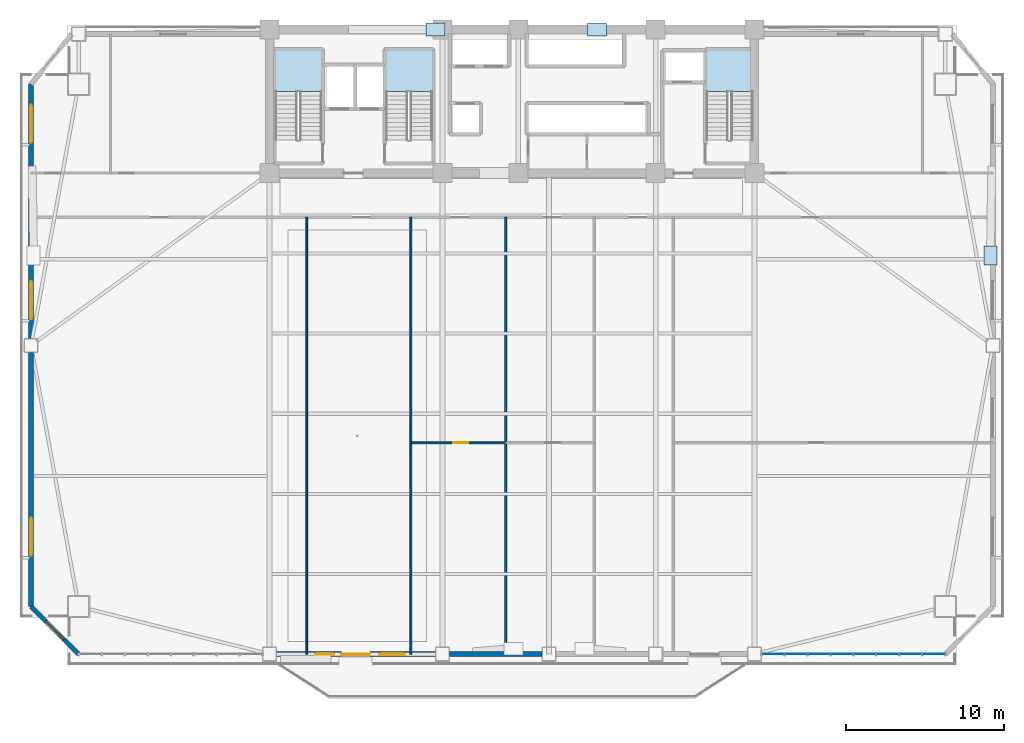
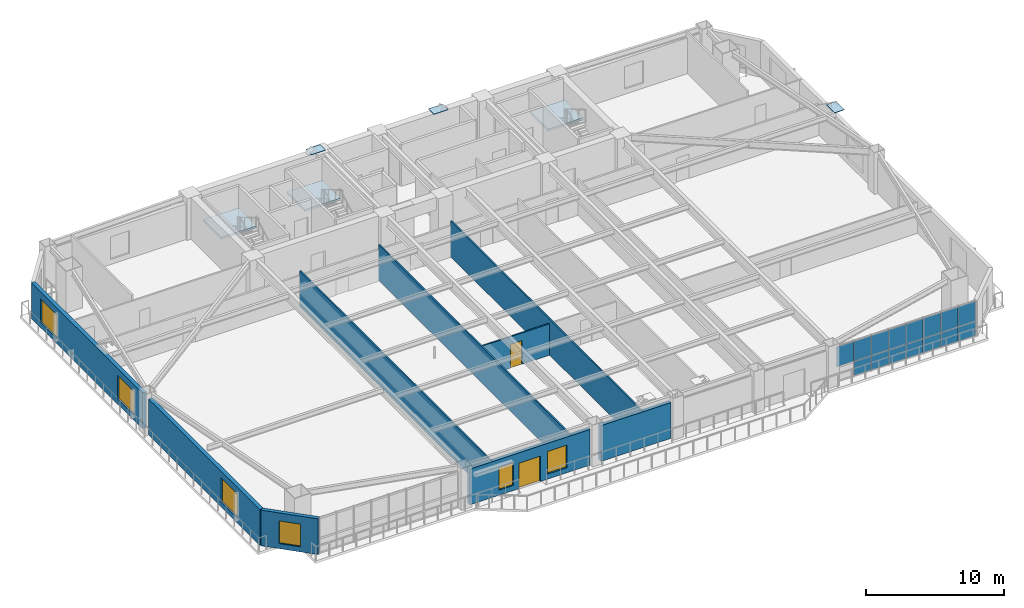
# One storey, part 7 of 15: 18 plates, 9 walls, 6 windows, 3 slabs, 2 doors, 8 openings, 4 elements without a shape of their own.
"""IFC4 building model written with IfcOpenShell, lengths in metres."""

from ifc_helpers import new_model, si_unit, direction, frame, frame_2d, origin, origin_2d, place, context, subcontext, project, spatial, polyline, rectangle, outline, extrude, source, transform, mapped, material, layer, layer_set, type_object, element, fill, aggregate, save


model = new_model("IFC4")

# Units and contexts
model_context = context("Model", 3, precision=1e-05, world=origin(), true_north=direction((0.0, 1.0)))
body_context = subcontext(model_context, "Body", "Model", "MODEL_VIEW")
ifc_project = project(units=[si_unit("LENGTHUNIT", "METRE"), si_unit("AREAUNIT", "SQUARE_METRE"), si_unit("VOLUMEUNIT", "CUBIC_METRE"), si_unit("PLANEANGLEUNIT", "RADIAN"), si_unit("MASSUNIT", "GRAM", prefix="KILO")], contexts=[model_context])

# Site, building, storey
site_placement = place(None, origin())
site = spatial("IfcSite", under=ifc_project, at=site_placement, CompositionType="ELEMENT")
building_placement = place(site_placement, origin())
building = spatial("IfcBuilding", under=site, at=building_placement, Name="Giltprow Tower", CompositionType="ELEMENT")
storey_placement = place(building_placement, frame((0.0, 0.0, 115.300048828125)))
storey = spatial("IfcBuildingStorey", under=building, at=storey_placement, Name="L28", CompositionType="ELEMENT", Elevation=115.300048828125)

# Stair, slab
ifc_material_1 = material(Name="Concrete C40", Category="concrete")
stair_type_1 = type_object("IfcStairType", Name="STR-ST-1", PredefinedType="HALF_TURN_STAIR", material=ifc_material_1)
stair_1_placement = place(storey_placement, origin())
stair_1 = element("IfcStair", 1, at=stair_1_placement, inside=storey, type_object=stair_type_1, Name="L28 Core Exit Stair ST-1", PredefinedType="HALF_TURN_STAIR")
ifc_layer_1 = layer(ifc_material_1, 0.179931640625, Name="Concrete C40")
ifc_layer_set_1 = layer_set([ifc_layer_1], Name="Concrete C40")
slab_type_1 = type_object("IfcSlabType", Name="SLD-ST-1", PredefinedType="LANDING", material=ifc_layer_set_1)
slab_1_placement = place(storey_placement, frame((0.0, 0.0, 1.77001953125)))
slab_1 = element("IfcSlab", 2, at=slab_1_placement, type_object=slab_type_1, Name="ST-1 landing 1", PredefinedType="LANDING", context=body_context, shape_type="SweptSolid", body=[
    extrude(outline(polyline([(23.159912109375, 42.6298828125), (23.159912109375, 45.25), (20.199951171875, 45.25), (20.199951171875, 42.6298828125), (23.159912109375, 42.6298828125)])), origin(), (0.0, 0.0, 1.0), 0.179931640625),
])
aggregate(stair_1, [slab_1])

stair_type_2 = type_object("IfcStairType", Name="STR-ST-2", PredefinedType="HALF_TURN_STAIR", material=ifc_material_1)
stair_2_placement = place(storey_placement, origin())
stair_2 = element("IfcStair", 3, at=stair_2_placement, inside=storey, type_object=stair_type_2, Name="L28 Core Exit Stair ST-2", PredefinedType="HALF_TURN_STAIR")
ifc_layer_2 = layer(ifc_material_1, 0.18798828125, Name="Concrete C40")
ifc_layer_set_2 = layer_set([ifc_layer_2], Name="Concrete C40")
slab_type_2 = type_object("IfcSlabType", Name="SLD-ST-2", PredefinedType="LANDING", material=ifc_layer_set_2)
slab_2_placement = place(storey_placement, frame((0.0, 0.0, 1.761962890625)))
slab_2 = element("IfcSlab", 4, at=slab_2_placement, type_object=slab_type_2, Name="ST-2 landing 1", PredefinedType="LANDING", context=body_context, shape_type="SweptSolid", body=[
    extrude(outline(polyline([(30.159912109375, 42.6298828125), (30.159912109375, 45.25), (27.199951171875, 45.25), (27.199951171875, 42.6298828125), (30.159912109375, 42.6298828125)])), origin(), (0.0, 0.0, 1.0), 0.18798828125),
])
aggregate(stair_2, [slab_2])

stair_type_3 = type_object("IfcStairType", Name="STR-ST-3", PredefinedType="HALF_TURN_STAIR", material=ifc_material_1)
stair_3_placement = place(storey_placement, origin())
stair_3 = element("IfcStair", 5, at=stair_3_placement, inside=storey, type_object=stair_type_3, Name="L28 Core Exit Stair ST-3", PredefinedType="HALF_TURN_STAIR")
ifc_layer_3 = layer(ifc_material_1, 0.196044921875, Name="Concrete C40")
ifc_layer_set_3 = layer_set([ifc_layer_3], Name="Concrete C40")
slab_type_3 = type_object("IfcSlabType", Name="SLD-ST-3", PredefinedType="LANDING", material=ifc_layer_set_3)
slab_3_placement = place(storey_placement, frame((0.0, 0.0, 1.75390625)))
slab_3 = element("IfcSlab", 6, at=slab_3_placement, type_object=slab_type_3, Name="ST-3 landing 1", PredefinedType="LANDING", context=body_context, shape_type="SweptSolid", body=[
    extrude(outline(polyline([(50.4599609375, 42.6298828125), (50.4599609375, 45.25), (47.5, 45.25), (47.5, 42.6298828125), (50.4599609375, 42.6298828125)])), origin(), (0.0, 0.0, 1.0), 0.196044921875),
])
aggregate(stair_3, [slab_3])

# Plates
ifc_material_2 = material(Name="Structural steel Q420GJC", Category="steel")
plate_type_1 = type_object("IfcPlateType", Name="PLT-CAP-SEAL", PredefinedType="USERDEFINED", material=ifc_material_2)
shared_shape_1 = source(origin(), body_context, "Body", "SweptSolid", [
    extrude(rectangle(XDim=1.199951171875, YDim=0.800048828125, at=origin_2d()), origin(), (0.0, 0.0, 1.0), 0.034912109375),
])
for number, where, z_axis, x_axis, name in (
    (7, (30.35009765625, 46.550048828125, 3.74267578125), (0.0, 0.0, 1.0), (1.0, 0.0, 0.0), "Mega-Brace Node L28-N-LB"),
    (8, (40.5830078125, 46.550048828125, 3.74267578125), (0.0, 0.0, 1.0), (1.0, 0.0, 0.0), "Mega-Brace Node L28-N-RB"),
    (9, (65.4990234375, 32.23388671875, 3.88232421875), (0.0, 0.0, 1.0), (0.0, 1.0, 0.0), "Mega-Brace Node L28-E-RB"),
):
    element("IfcPlate", number, at=place(storey_placement, frame(where, z_axis=z_axis, x_axis=x_axis)), inside=storey, type_object=plate_type_1, Name=name, ObjectType="SPLICE", PredefinedType="USERDEFINED", context=body_context, shape_type="MappedRepresentation", body=[
        mapped(shared_shape_1, transform((0.0, 0.0, 0.0), x_axis=(1.0, 0.0, 0.0), y_axis=(0.0, 1.0, 0.0), z_axis=(0.0, 0.0, 1.0), scale=1.0)),
    ])

# Curtain wall, plates
ifc_material_3 = material(Name="Anodized bronze", Category="metal")
ifc_layer_4 = layer(ifc_material_3, 0.179931640625, Name="Anodized bronze")
ifc_layer_set_4 = layer_set([ifc_layer_4], Name="Anodized bronze")
curtain_wall_type = type_object("IfcCurtainWallType", Name="CW-OFF-RECESSED", PredefinedType="NOTDEFINED", material=ifc_layer_set_4)
curtain_wall_placement = place(storey_placement, origin())
curtain_wall = element("IfcCurtainWall", 10, at=curtain_wall_placement, inside=storey, type_object=curtain_wall_type, Name="L28 South Recessed Curtain Wall 6", PredefinedType="NOTDEFINED")
ifc_material_4 = material(Name="Insulated glass", Category="glass")
plate_type_2 = type_object("IfcPlateType", Name="CW-PANEL-IGU-28", PredefinedType="CURTAIN_PANEL", material=ifc_material_4)
shared_shape_2 = source(origin(), body_context, "Body", "SweptSolid", [
    extrude(rectangle(XDim=1.425048828125, YDim=0.028076171875, at=origin_2d()), origin(), (0.0, 0.0, 1.0), 1.259033203125),
])
plate_1_placement = place(storey_placement, frame((53.181884765625, 6.989990234375, 0.05322265625), z_axis=(0.0, 0.0, 1.0), x_axis=(1.0, 0.0, 0.0)))
plate_1 = element("IfcPlate", 11, at=plate_1_placement, type_object=plate_type_2, Name="L28 South Recessed Curtain Wall 6 Glazing Panel 2-1", PredefinedType="CURTAIN_PANEL", context=body_context, shape_type="MappedRepresentation", body=[
    mapped(shared_shape_2, transform((0.0, 0.0, 0.0), x_axis=(1.0, 0.0, 0.0), y_axis=(0.0, 1.0, 0.0), z_axis=(0.0, 0.0, 1.0), scale=1.0)),
])
plate_2_placement = place(storey_placement, frame((54.636962890625, 6.989990234375, 0.05322265625), z_axis=(0.0, 0.0, 1.0), x_axis=(1.0, 0.0, 0.0)))
plate_2 = element("IfcPlate", 12, at=plate_2_placement, type_object=plate_type_2, Name="L28 South Recessed Curtain Wall 6 Glazing Panel 3-1", PredefinedType="CURTAIN_PANEL", context=body_context, shape_type="MappedRepresentation", body=[
    mapped(shared_shape_2, transform((0.0, 0.0, 0.0), x_axis=(1.0, 0.0, 0.0), y_axis=(0.0, 1.0, 0.0), z_axis=(0.0, 0.0, 1.0), scale=1.0)),
])
plate_3_placement = place(storey_placement, frame((56.092041015625, 6.989990234375, 0.05322265625), z_axis=(0.0, 0.0, 1.0), x_axis=(1.0, 0.0, 0.0)))
plate_3 = element("IfcPlate", 13, at=plate_3_placement, type_object=plate_type_2, Name="L28 South Recessed Curtain Wall 6 Glazing Panel 4-1", PredefinedType="CURTAIN_PANEL", context=body_context, shape_type="MappedRepresentation", body=[
    mapped(shared_shape_2, transform((0.0, 0.0, 0.0), x_axis=(1.0, 0.0, 0.0), y_axis=(0.0, 1.0, 0.0), z_axis=(0.0, 0.0, 1.0), scale=1.0)),
])
plate_4_placement = place(storey_placement, frame((57.547119140625, 6.989990234375, 0.05322265625), z_axis=(0.0, 0.0, 1.0), x_axis=(1.0, 0.0, 0.0)))
plate_4 = element("IfcPlate", 14, at=plate_4_placement, type_object=plate_type_2, Name="L28 South Recessed Curtain Wall 6 Glazing Panel 5-1", PredefinedType="CURTAIN_PANEL", context=body_context, shape_type="MappedRepresentation", body=[
    mapped(shared_shape_2, transform((0.0, 0.0, 0.0), x_axis=(1.0, 0.0, 0.0), y_axis=(0.0, 1.0, 0.0), z_axis=(0.0, 0.0, 1.0), scale=1.0)),
])
plate_5_placement = place(storey_placement, frame((59.001953125, 6.989990234375, 0.05322265625), z_axis=(0.0, 0.0, 1.0), x_axis=(1.0, 0.0, 0.0)))
plate_5 = element("IfcPlate", 15, at=plate_5_placement, type_object=plate_type_2, Name="L28 South Recessed Curtain Wall 6 Glazing Panel 6-1", PredefinedType="CURTAIN_PANEL", context=body_context, shape_type="MappedRepresentation", body=[
    mapped(shared_shape_2, transform((0.0, 0.0, 0.0), x_axis=(1.0, 0.0, 0.0), y_axis=(0.0, 1.0, 0.0), z_axis=(0.0, 0.0, 1.0), scale=1.0)),
])
plate_6_placement = place(storey_placement, frame((60.45703125, 6.989990234375, 0.05322265625), z_axis=(0.0, 0.0, 1.0), x_axis=(1.0, 0.0, 0.0)))
plate_6 = element("IfcPlate", 16, at=plate_6_placement, type_object=plate_type_2, Name="L28 South Recessed Curtain Wall 6 Glazing Panel 7-1", PredefinedType="CURTAIN_PANEL", context=body_context, shape_type="MappedRepresentation", body=[
    mapped(shared_shape_2, transform((0.0, 0.0, 0.0), x_axis=(1.0, 0.0, 0.0), y_axis=(0.0, 1.0, 0.0), z_axis=(0.0, 0.0, 1.0), scale=1.0)),
])
plate_7_placement = place(storey_placement, frame((61.912109375, 6.989990234375, 0.05322265625), z_axis=(0.0, 0.0, 1.0), x_axis=(1.0, 0.0, 0.0)))
plate_7 = element("IfcPlate", 17, at=plate_7_placement, type_object=plate_type_2, Name="L28 South Recessed Curtain Wall 6 Glazing Panel 8-1", PredefinedType="CURTAIN_PANEL", context=body_context, shape_type="MappedRepresentation", body=[
    mapped(shared_shape_2, transform((0.0, 0.0, 0.0), x_axis=(1.0, 0.0, 0.0), y_axis=(0.0, 1.0, 0.0), z_axis=(0.0, 0.0, 1.0), scale=1.0)),
])
shared_shape_3 = source(origin(), body_context, "Body", "SweptSolid", [
    extrude(rectangle(XDim=1.425048828125, YDim=0.028076171875, at=origin_2d()), origin(), (0.0, 0.0, 1.0), 1.764892578125),
])
plate_8_placement = place(storey_placement, frame((51.72705078125, 6.989990234375, 1.34033203125), z_axis=(0.0, 0.0, 1.0), x_axis=(1.0, 0.0, 0.0)))
plate_8 = element("IfcPlate", 18, at=plate_8_placement, type_object=plate_type_2, Name="L28 South Recessed Curtain Wall 6 Glazing Panel 1-2", PredefinedType="CURTAIN_PANEL", context=body_context, shape_type="MappedRepresentation", body=[
    mapped(shared_shape_3, transform((0.0, 0.0, 0.0), x_axis=(1.0, 0.0, 0.0), y_axis=(0.0, 1.0, 0.0), z_axis=(0.0, 0.0, 1.0), scale=1.0)),
])
plate_9_placement = place(storey_placement, frame((53.181884765625, 6.989990234375, 1.34033203125), z_axis=(0.0, 0.0, 1.0), x_axis=(1.0, 0.0, 0.0)))
plate_9 = element("IfcPlate", 19, at=plate_9_placement, type_object=plate_type_2, Name="L28 South Recessed Curtain Wall 6 Glazing Panel 2-2", PredefinedType="CURTAIN_PANEL", context=body_context, shape_type="MappedRepresentation", body=[
    mapped(shared_shape_3, transform((0.0, 0.0, 0.0), x_axis=(1.0, 0.0, 0.0), y_axis=(0.0, 1.0, 0.0), z_axis=(0.0, 0.0, 1.0), scale=1.0)),
])
plate_10_placement = place(storey_placement, frame((54.636962890625, 6.989990234375, 1.34033203125), z_axis=(0.0, 0.0, 1.0), x_axis=(1.0, 0.0, 0.0)))
plate_10 = element("IfcPlate", 20, at=plate_10_placement, type_object=plate_type_2, Name="L28 South Recessed Curtain Wall 6 Glazing Panel 3-2", PredefinedType="CURTAIN_PANEL", context=body_context, shape_type="MappedRepresentation", body=[
    mapped(shared_shape_3, transform((0.0, 0.0, 0.0), x_axis=(1.0, 0.0, 0.0), y_axis=(0.0, 1.0, 0.0), z_axis=(0.0, 0.0, 1.0), scale=1.0)),
])
plate_11_placement = place(storey_placement, frame((56.092041015625, 6.989990234375, 1.34033203125), z_axis=(0.0, 0.0, 1.0), x_axis=(1.0, 0.0, 0.0)))
plate_11 = element("IfcPlate", 21, at=plate_11_placement, type_object=plate_type_2, Name="L28 South Recessed Curtain Wall 6 Glazing Panel 4-2", PredefinedType="CURTAIN_PANEL", context=body_context, shape_type="MappedRepresentation", body=[
    mapped(shared_shape_3, transform((0.0, 0.0, 0.0), x_axis=(1.0, 0.0, 0.0), y_axis=(0.0, 1.0, 0.0), z_axis=(0.0, 0.0, 1.0), scale=1.0)),
])
plate_12_placement = place(storey_placement, frame((57.547119140625, 6.989990234375, 1.34033203125), z_axis=(0.0, 0.0, 1.0), x_axis=(1.0, 0.0, 0.0)))
plate_12 = element("IfcPlate", 22, at=plate_12_placement, type_object=plate_type_2, Name="L28 South Recessed Curtain Wall 6 Glazing Panel 5-2", PredefinedType="CURTAIN_PANEL", context=body_context, shape_type="MappedRepresentation", body=[
    mapped(shared_shape_3, transform((0.0, 0.0, 0.0), x_axis=(1.0, 0.0, 0.0), y_axis=(0.0, 1.0, 0.0), z_axis=(0.0, 0.0, 1.0), scale=1.0)),
])
plate_13_placement = place(storey_placement, frame((59.001953125, 6.989990234375, 1.34033203125), z_axis=(0.0, 0.0, 1.0), x_axis=(1.0, 0.0, 0.0)))
plate_13 = element("IfcPlate", 23, at=plate_13_placement, type_object=plate_type_2, Name="L28 South Recessed Curtain Wall 6 Glazing Panel 6-2", PredefinedType="CURTAIN_PANEL", context=body_context, shape_type="MappedRepresentation", body=[
    mapped(shared_shape_3, transform((0.0, 0.0, 0.0), x_axis=(1.0, 0.0, 0.0), y_axis=(0.0, 1.0, 0.0), z_axis=(0.0, 0.0, 1.0), scale=1.0)),
])
plate_14_placement = place(storey_placement, frame((60.45703125, 6.989990234375, 1.34033203125), z_axis=(0.0, 0.0, 1.0), x_axis=(1.0, 0.0, 0.0)))
plate_14 = element("IfcPlate", 24, at=plate_14_placement, type_object=plate_type_2, Name="L28 South Recessed Curtain Wall 6 Glazing Panel 7-2", PredefinedType="CURTAIN_PANEL", context=body_context, shape_type="MappedRepresentation", body=[
    mapped(shared_shape_3, transform((0.0, 0.0, 0.0), x_axis=(1.0, 0.0, 0.0), y_axis=(0.0, 1.0, 0.0), z_axis=(0.0, 0.0, 1.0), scale=1.0)),
])
plate_15_placement = place(storey_placement, frame((61.912109375, 6.989990234375, 1.34033203125), z_axis=(0.0, 0.0, 1.0), x_axis=(1.0, 0.0, 0.0)))
plate_15 = element("IfcPlate", 25, at=plate_15_placement, type_object=plate_type_2, Name="L28 South Recessed Curtain Wall 6 Glazing Panel 8-2", PredefinedType="CURTAIN_PANEL", context=body_context, shape_type="MappedRepresentation", body=[
    mapped(shared_shape_3, transform((0.0, 0.0, 0.0), x_axis=(1.0, 0.0, 0.0), y_axis=(0.0, 1.0, 0.0), z_axis=(0.0, 0.0, 1.0), scale=1.0)),
])
aggregate(curtain_wall, [plate_8, plate_1, plate_9, plate_2, plate_10, plate_3, plate_11, plate_4, plate_12, plate_5, plate_13, plate_6, plate_14, plate_7, plate_15])

# Wall, opening, window
ifc_material_5 = material(Name="Precast concrete C40", Category="concrete")
ifc_layer_5 = layer(ifc_material_5, 0.300048828125, Name="Precast concrete C40")
ifc_layer_set_5 = layer_set([ifc_layer_5], Name="Precast concrete C40")
wall_type_1 = type_object("IfcWallType", Name="EW-NOTCH-CHAMFER-300", PredefinedType="SOLIDWALL", material=ifc_layer_set_5)
wall_1_placement = place(storey_placement, frame((4.743896484375, 10.007080078125, 0.0), z_axis=(0.0, 0.0, 1.0), x_axis=(0.707106781187, -0.707106781187, 0.0)))
wall_1 = element("IfcWall", 26, at=wall_1_placement, inside=storey, type_object=wall_type_1, Name="L28 Corner Notch Wall SW", PredefinedType="SOLIDWALL", context=body_context, shape_type="SweptSolid", body=[
    extrude(rectangle(XDim=4.266845703125, YDim=0.300048828125, at=frame_2d((2.13330078125, 0.0))), origin(), (0.0, 0.0, 1.0), 3.159912109375),
])
opening_1_placement = place(wall_1_placement, frame((1.3330078125, 0.0, 0.449951171875)))
opening_1 = element("IfcOpeningElement", 27, at=opening_1_placement, cuts=wall_1, Name="Opening WN17", PredefinedType="OPENING", context=body_context, shape_type="SweptSolid", body=[
    extrude(rectangle(XDim=1.60009765625, YDim=2.0, at=frame_2d((0.800048828125, 1.0))), frame((0.0, 0.159912109375, 0.0), z_axis=(0.0, -1.0, 0.0), x_axis=(1.0, 0.0, 0.0)), (0.0, 0.0, 1.0), 0.320068359375),
])
window_type_1 = type_object("IfcWindowType", Name="WN-COR-1600x2000", PartitioningType="SINGLE_PANEL", PredefinedType="WINDOW", material=ifc_material_4)
shared_shape_4 = source(origin(), body_context, "Body", "SweptSolid", [
    extrude(rectangle(XDim=1.60009765625, YDim=2.0, at=frame_2d((0.800048828125, 1.0))), frame((0.0, 0.030029296875, 0.0), z_axis=(0.0, -1.0, 0.0), x_axis=(1.0, 0.0, 0.0)), (0.0, 0.0, 1.0), 0.06005859375),
])
window_1_placement = place(opening_1_placement, origin())
window_1 = element("IfcWindow", 28, at=window_1_placement, inside=storey, type_object=window_type_1, Name="L28 Corner Notch Window SW", OverallHeight=2.0, OverallWidth=1.60009765625, PartitioningType="SINGLE_PANEL", PredefinedType="WINDOW", context=body_context, shape_type="MappedRepresentation", body=[
    mapped(shared_shape_4, transform((0.0, 0.0, 0.0), x_axis=(1.0, 0.0, 0.0), y_axis=(0.0, 1.0, 0.0), z_axis=(0.0, 0.0, 1.0), scale=1.0)),
])
fill(opening_1, window_1)

# Wall, openings, windows, door
ifc_layer_6 = layer(ifc_material_5, 0.320068359375, Name="Precast concrete C40")
ifc_layer_set_6 = layer_set([ifc_layer_6], Name="Precast concrete C40")
wall_type_2 = type_object("IfcWallType", Name="EW-TOW-STONE-320", PredefinedType="SOLIDWALL", material=ifc_layer_set_6)
wall_2_placement = place(storey_placement, frame((20.300048828125, 6.989990234375, 0.0), z_axis=(0.0, 0.0, 1.0), x_axis=(1.0, 0.0, 0.0)))
wall_2 = element("IfcWall", 29, at=wall_2_placement, inside=storey, type_object=wall_type_2, Name="L28 South Expressed Frame Wall 2", PredefinedType="SOLIDWALL", context=body_context, shape_type="SweptSolid", body=[
    extrude(rectangle(XDim=10.050048828125, YDim=0.320068359375, at=frame_2d((5.02490234375, 0.0))), origin(), (0.0, 0.0, 1.0), 3.159912109375),
])
opening_2_placement = place(wall_2_placement, frame((4.10009765625, 0.0, 0.0)))
opening_2 = element("IfcOpeningElement", 30, at=opening_2_placement, cuts=wall_2, Name="Opening ED25", PredefinedType="OPENING", context=body_context, shape_type="SweptSolid", body=[
    extrude(rectangle(XDim=1.800048828125, YDim=2.25, at=frame_2d((0.89990234375, 1.125))), frame((0.0, 0.169921875, 0.0), z_axis=(0.0, -1.0, 0.0), x_axis=(1.0, 0.0, 0.0)), (0.0, 0.0, 1.0), 0.340087890625),
])
opening_3_placement = place(wall_2_placement, frame((2.445068359375, 0.0, 0.449951171875)))
opening_3 = element("IfcOpeningElement", 31, at=opening_3_placement, cuts=wall_2, Name="Opening WN11", PredefinedType="OPENING", context=body_context, shape_type="SweptSolid", body=[
    extrude(rectangle(XDim=1.199951171875, YDim=2.0, at=frame_2d((0.60009765625, 1.0))), frame((0.0, 0.169921875, 0.0), z_axis=(0.0, -1.0, 0.0), x_axis=(1.0, 0.0, 0.0)), (0.0, 0.0, 1.0), 0.340087890625),
])
opening_4_placement = place(wall_2_placement, frame((6.5, 0.0, 0.449951171875)))
opening_4 = element("IfcOpeningElement", 32, at=opening_4_placement, cuts=wall_2, Name="Opening WN17", PredefinedType="OPENING", context=body_context, shape_type="SweptSolid", body=[
    extrude(rectangle(XDim=1.60009765625, YDim=2.0, at=frame_2d((0.800048828125, 1.0))), frame((0.0, 0.169921875, 0.0), z_axis=(0.0, -1.0, 0.0), x_axis=(1.0, 0.0, 0.0)), (0.0, 0.0, 1.0), 0.340087890625),
])
window_2_placement = place(opening_4_placement, origin())
window_2 = element("IfcWindow", 33, at=window_2_placement, inside=storey, type_object=window_type_1, Name="L28 South Window 2B", OverallHeight=2.0, OverallWidth=1.60009765625, PartitioningType="SINGLE_PANEL", PredefinedType="WINDOW", context=body_context, shape_type="MappedRepresentation", body=[
    mapped(shared_shape_4, transform((0.0, 0.0, 0.0), x_axis=(1.0, 0.0, 0.0), y_axis=(0.0, 1.0, 0.0), z_axis=(0.0, 0.0, 1.0), scale=1.0)),
])
fill(opening_4, window_2)
ifc_material_6 = material(Name="Anodized bronze and glass", Category="glass")
door_type_1 = type_object("IfcDoorType", Name="DR-BALC-SLIDE-1800", OperationType="SLIDING_TO_LEFT", PredefinedType="DOOR", material=ifc_material_6)
shared_shape_5 = source(origin(), body_context, "Body", "SweptSolid", [
    extrude(rectangle(XDim=1.800048828125, YDim=2.25, at=frame_2d((0.89990234375, 1.125))), frame((0.0, 0.02490234375, 0.0), z_axis=(0.0, -1.0, 0.0), x_axis=(1.0, 0.0, 0.0)), (0.0, 0.0, 1.0), 0.050048828125),
])
door_1_placement = place(opening_2_placement, origin())
door_1 = element("IfcDoor", 34, at=door_1_placement, inside=storey, type_object=door_type_1, Name="L28 Waterfront Balcony Sliding Door 1", OperationType="SLIDING_TO_LEFT", OverallHeight=2.25, OverallWidth=1.800048828125, PredefinedType="DOOR", context=body_context, shape_type="MappedRepresentation", body=[
    mapped(shared_shape_5, transform((0.0, 0.0, 0.0), x_axis=(1.0, 0.0, 0.0), y_axis=(0.0, 1.0, 0.0), z_axis=(0.0, 0.0, 1.0), scale=1.0)),
])
fill(opening_2, door_1)
window_type_2 = type_object("IfcWindowType", Name="WN-LANCET-1200x2000", PartitioningType="SINGLE_PANEL", PredefinedType="WINDOW", material=ifc_material_4)
shared_shape_6 = source(origin(), body_context, "Body", "SweptSolid", [
    extrude(rectangle(XDim=1.199951171875, YDim=2.0, at=frame_2d((0.60009765625, 1.0))), frame((0.0, 0.030029296875, 0.0), z_axis=(0.0, -1.0, 0.0), x_axis=(1.0, 0.0, 0.0)), (0.0, 0.0, 1.0), 0.06005859375),
])
window_3_placement = place(opening_3_placement, origin())
window_3 = element("IfcWindow", 35, at=window_3_placement, inside=storey, type_object=window_type_2, Name="L28 South Window 2A", OverallHeight=2.0, OverallWidth=1.199951171875, PartitioningType="SINGLE_PANEL", PredefinedType="WINDOW", context=body_context, shape_type="MappedRepresentation", body=[
    mapped(shared_shape_6, transform((0.0, 0.0, 0.0), x_axis=(1.0, 0.0, 0.0), y_axis=(0.0, 1.0, 0.0), z_axis=(0.0, 0.0, 1.0), scale=1.0)),
])
fill(opening_3, window_3)

# Wall
wall_3_placement = place(storey_placement, frame((31.25, 6.989990234375, 0.0), z_axis=(0.0, 0.0, 1.0), x_axis=(1.0, 0.0, 0.0)))
element("IfcWall", 36, at=wall_3_placement, inside=storey, type_object=wall_type_2, Name="L28 South Expressed Frame Wall 3", PredefinedType="SOLIDWALL", context=body_context, shape_type="SweptSolid", body=[
    extrude(rectangle(XDim=5.85009765625, YDim=0.320068359375, at=frame_2d((2.925048828125, 0.0))), origin(), (0.0, 0.0, 1.0), 3.159912109375),
])

# Wall, opening, window
wall_4_placement = place(storey_placement, frame((4.743896484375, 10.007080078125, 0.0), z_axis=(0.0, 0.0, 1.0), x_axis=(0.0, 1.0, 0.0)))
wall_4 = element("IfcWall", 37, at=wall_4_placement, inside=storey, type_object=wall_type_2, Name="L28 W Wing Masonry Wall 1", PredefinedType="SOLIDWALL", context=body_context, shape_type="SweptSolid", body=[
    extrude(rectangle(XDim=16.087890625, YDim=0.320068359375, at=frame_2d((8.0439453125, 0.0))), origin(), (0.0, 0.0, 1.0), 3.159912109375),
])
opening_5_placement = place(wall_4_placement, frame((3.222900390625, 0.0, 0.449951171875)))
opening_5 = element("IfcOpeningElement", 38, at=opening_5_placement, cuts=wall_4, Name="Opening WN29", PredefinedType="OPENING", context=body_context, shape_type="SweptSolid", body=[
    extrude(rectangle(XDim=2.39990234375, YDim=2.10009765625, at=frame_2d((1.199951171875, 1.050048828125))), frame((0.0, 0.169921875, 0.0), z_axis=(0.0, -1.0, 0.0), x_axis=(1.0, 0.0, 0.0)), (0.0, 0.0, 1.0), 0.340087890625),
])
window_type_3 = type_object("IfcWindowType", Name="WN-OFF-2400x2100", PartitioningType="DOUBLE_PANEL_VERTICAL", PredefinedType="WINDOW", material=ifc_material_4)
shared_shape_7 = source(origin(), body_context, "Body", "SweptSolid", [
    extrude(rectangle(XDim=2.39990234375, YDim=2.10009765625, at=frame_2d((1.199951171875, 1.050048828125))), frame((0.0, 0.030029296875, 0.0), z_axis=(0.0, -1.0, 0.0), x_axis=(1.0, 0.0, 0.0)), (0.0, 0.0, 1.0), 0.06005859375),
])
window_4_placement = place(opening_5_placement, origin())
window_4 = element("IfcWindow", 39, at=window_4_placement, inside=storey, type_object=window_type_3, Name="L28 W Wing Window 1-1A", OverallHeight=2.10009765625, OverallWidth=2.39990234375, PartitioningType="SINGLE_PANEL", PredefinedType="WINDOW", context=body_context, shape_type="MappedRepresentation", body=[
    mapped(shared_shape_7, transform((0.0, 0.0, 0.0), x_axis=(1.0, 0.0, 0.0), y_axis=(0.0, 1.0, 0.0), z_axis=(0.0, 0.0, 1.0), scale=1.0)),
])
fill(opening_5, window_4)

# Wall, openings, windows
wall_5_placement = place(storey_placement, frame((4.743896484375, 26.9951171875, 0.0), z_axis=(0.0, 0.0, 1.0), x_axis=(0.0, 1.0, 0.0)))
wall_5 = element("IfcWall", 40, at=wall_5_placement, inside=storey, type_object=wall_type_2, Name="L28 W Wing Masonry Wall 2", PredefinedType="SOLIDWALL", context=body_context, shape_type="SweptSolid", body=[
    extrude(rectangle(XDim=16.087890625, YDim=0.320068359375, at=frame_2d((8.0439453125, 0.0))), origin(), (0.0, 0.0, 1.0), 3.159912109375),
])
opening_6_placement = place(wall_5_placement, frame((1.219970703125, 0.0, 0.449951171875)))
opening_6 = element("IfcOpeningElement", 41, at=opening_6_placement, cuts=wall_5, Name="Opening WN29", PredefinedType="OPENING", context=body_context, shape_type="SweptSolid", body=[
    extrude(rectangle(XDim=2.39990234375, YDim=2.10009765625, at=frame_2d((1.199951171875, 1.050048828125))), frame((0.0, 0.169921875, 0.0), z_axis=(0.0, -1.0, 0.0), x_axis=(1.0, 0.0, 0.0)), (0.0, 0.0, 1.0), 0.340087890625),
])
opening_7_placement = place(wall_5_placement, frame((12.375, 0.0, 0.449951171875)))
opening_7 = element("IfcOpeningElement", 42, at=opening_7_placement, cuts=wall_5, Name="Opening WN29", PredefinedType="OPENING", context=body_context, shape_type="SweptSolid", body=[
    extrude(rectangle(XDim=2.39990234375, YDim=2.10009765625, at=frame_2d((1.199951171875, 1.050048828125))), frame((0.0, 0.169921875, 0.0), z_axis=(0.0, -1.0, 0.0), x_axis=(1.0, 0.0, 0.0)), (0.0, 0.0, 1.0), 0.340087890625),
])
window_5_placement = place(opening_6_placement, origin())
window_5 = element("IfcWindow", 43, at=window_5_placement, inside=storey, type_object=window_type_3, Name="L28 W Wing Window 2-1", OverallHeight=2.10009765625, OverallWidth=2.39990234375, PartitioningType="SINGLE_PANEL", PredefinedType="WINDOW", context=body_context, shape_type="MappedRepresentation", body=[
    mapped(shared_shape_7, transform((0.0, 0.0, 0.0), x_axis=(1.0, 0.0, 0.0), y_axis=(0.0, 1.0, 0.0), z_axis=(0.0, 0.0, 1.0), scale=1.0)),
])
fill(opening_6, window_5)
window_6_placement = place(opening_7_placement, origin())
window_6 = element("IfcWindow", 44, at=window_6_placement, inside=storey, type_object=window_type_3, Name="L28 W Wing Window 2-2", OverallHeight=2.10009765625, OverallWidth=2.39990234375, PartitioningType="SINGLE_PANEL", PredefinedType="WINDOW", context=body_context, shape_type="MappedRepresentation", body=[
    mapped(shared_shape_7, transform((0.0, 0.0, 0.0), x_axis=(1.0, 0.0, 0.0), y_axis=(0.0, 1.0, 0.0), z_axis=(0.0, 0.0, 1.0), scale=1.0)),
])
fill(opening_7, window_6)

# Walls
ifc_material_7 = material(Name="Gypsum stud partition", Category="gypsum")
ifc_layer_7 = layer(ifc_material_7, 0.1201171875, Name="Gypsum stud partition")
ifc_layer_set_7 = layer_set([ifc_layer_7], Name="Gypsum stud partition")
wall_type_3 = type_object("IfcWallType", Name="IW-ROOM-120", PredefinedType="PARTITIONING", material=ifc_layer_set_7)
for number, where, z_axis, x_axis, name in (
    (45, (22.199951171875, 6.989990234375, 0.0), (0.0, 0.0, 1.0), (0.0, 1.0, 0.0), "L28 Office Partition 1"),
    (46, (28.800048828125, 6.989990234375, 0.0), (0.0, 0.0, 1.0), (0.0, 1.0, 0.0), "L28 Office Partition 2"),
):
    element("IfcWall", number, at=place(storey_placement, frame(where, z_axis=z_axis, x_axis=x_axis)), inside=storey, type_object=wall_type_3, Name=name, PredefinedType="PARTITIONING", context=body_context, shape_type="SweptSolid", body=[
        extrude(rectangle(XDim=27.659912109375, YDim=0.1201171875, at=frame_2d((13.830078125, 0.0))), origin(), (0.0, 0.0, 1.0), 3.1650390625),
    ])

# Wall, opening, door
wall_6_placement = place(storey_placement, frame((28.800048828125, 20.37109375, 0.0), z_axis=(0.0, 0.0, 1.0), x_axis=(1.0, 0.0, 0.0)))
wall_6 = element("IfcWall", 47, at=wall_6_placement, inside=storey, type_object=wall_type_3, Name="L28 Office Mid Wall 3", PredefinedType="PARTITIONING", context=body_context, shape_type="SweptSolid", body=[
    extrude(rectangle(XDim=6.0, YDim=0.1201171875, at=frame_2d((3.0, 0.0))), origin(), (0.0, 0.0, 1.0), 2.764892578125),
])
opening_8_placement = place(wall_6_placement, frame((2.68310546875, 0.0, 0.0)))
opening_8 = element("IfcOpeningElement", 48, at=opening_8_placement, cuts=wall_6, Name="Opening ID11", PredefinedType="OPENING", context=body_context, shape_type="SweptSolid", body=[
    extrude(rectangle(XDim=0.949951171875, YDim=2.10009765625, at=frame_2d((0.47509765625, 1.050048828125))), frame((0.0, 0.070068359375, 0.0), z_axis=(0.0, -1.0, 0.0), x_axis=(1.0, 0.0, 0.0)), (0.0, 0.0, 1.0), 0.14013671875),
])
ifc_material_8 = material(Name="Engineered timber", Category="wood")
door_type_2 = type_object("IfcDoorType", Name="DR-ROOM-950", OperationType="SINGLE_SWING_RIGHT", PredefinedType="DOOR", material=ifc_material_8)
shared_shape_8 = source(origin(), body_context, "Body", "SweptSolid", [
    extrude(rectangle(XDim=0.949951171875, YDim=2.10009765625, at=frame_2d((0.47509765625, 1.050048828125))), frame((0.0, 0.02490234375, 0.0), z_axis=(0.0, -1.0, 0.0), x_axis=(1.0, 0.0, 0.0)), (0.0, 0.0, 1.0), 0.050048828125),
])
door_2_placement = place(opening_8_placement, origin())
door_2 = element("IfcDoor", 49, at=door_2_placement, inside=storey, type_object=door_type_2, Name="L28 Architecture Office 2 Inner Door", OperationType="SINGLE_SWING_RIGHT", OverallHeight=2.10009765625, OverallWidth=0.949951171875, PredefinedType="DOOR", context=body_context, shape_type="MappedRepresentation", body=[
    mapped(shared_shape_8, transform((0.0, 0.0, 0.0), x_axis=(1.0, 0.0, 0.0), y_axis=(0.0, 1.0, 0.0), z_axis=(0.0, 0.0, 1.0), scale=1.0)),
])
fill(opening_8, door_2)

# Wall
wall_7_placement = place(storey_placement, frame((34.800048828125, 6.989990234375, 0.0), z_axis=(0.0, 0.0, 1.0), x_axis=(0.0, 1.0, 0.0)))
element("IfcWall", 50, at=wall_7_placement, inside=storey, type_object=wall_type_3, Name="L28 Office Partition 3", PredefinedType="PARTITIONING", context=body_context, shape_type="SweptSolid", body=[
    extrude(rectangle(XDim=27.659912109375, YDim=0.1201171875, at=frame_2d((13.830078125, 0.0))), origin(), (0.0, 0.0, 1.0), 3.1650390625),
])

save(model, "model.ifc")
